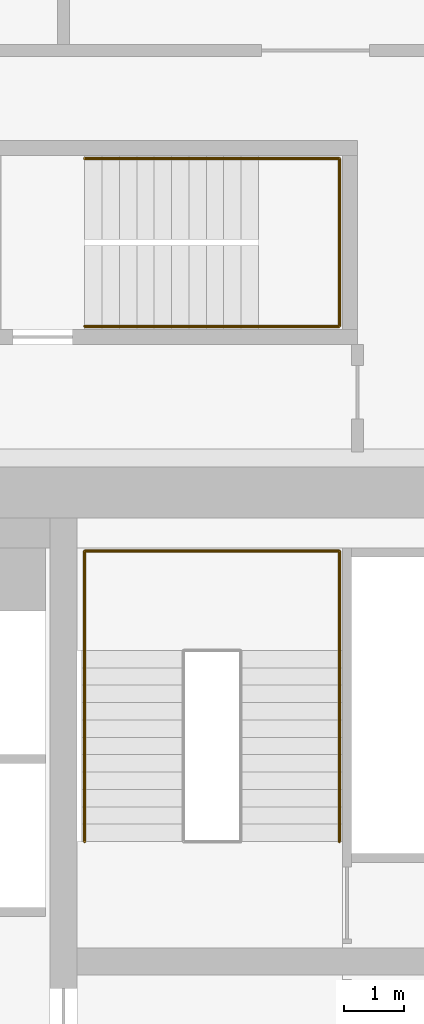
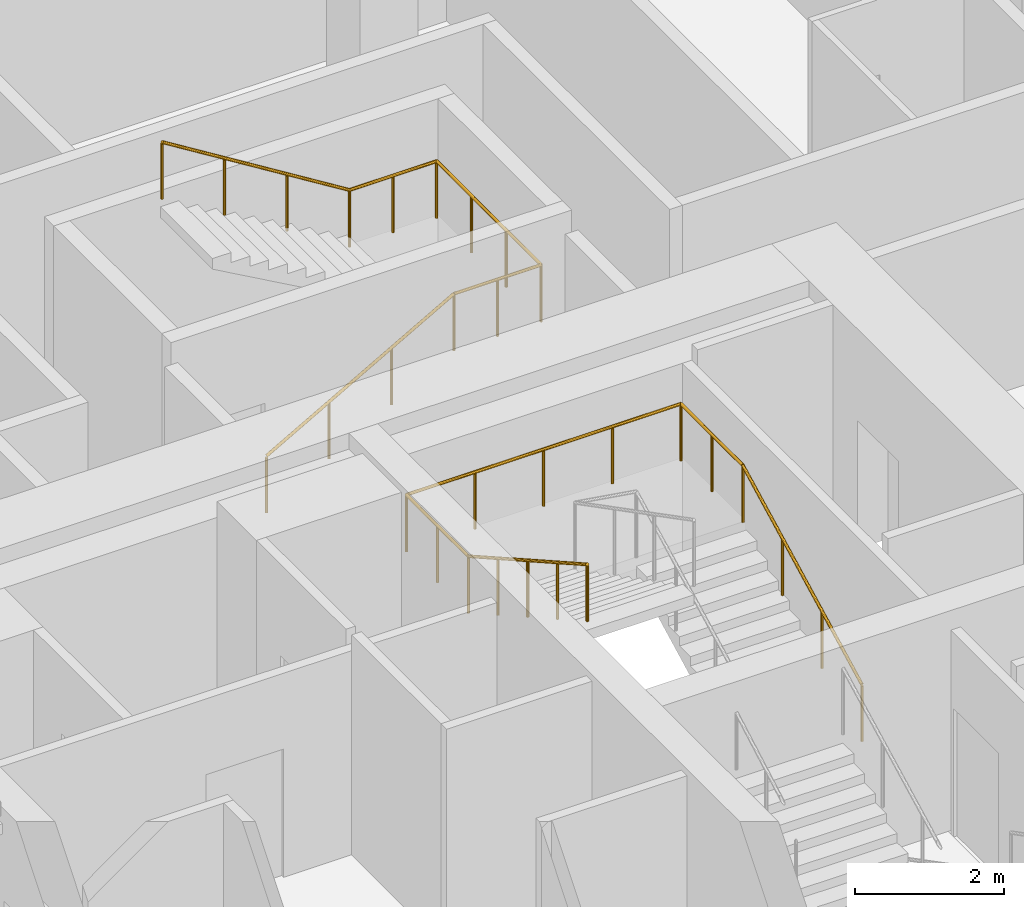
# One storey, part 33 of 33: 2 railings.
"""IFC4 building model written with IfcOpenShell, lengths in metres."""

from ifc_helpers import new_model, si_unit, direction, frame, origin, origin_2d, place, context, subcontext, project, spatial, circle, extrude, material, type_object, element, save


model = new_model("IFC4")

# Units and contexts
model_context = context("Model", 3, precision=1e-05, world=origin(), true_north=direction((0.0, 1.0)))
body_context = subcontext(model_context, "Body", "Model", "MODEL_VIEW")
ifc_project = project(units=[si_unit("LENGTHUNIT", "METRE"), si_unit("AREAUNIT", "SQUARE_METRE"), si_unit("VOLUMEUNIT", "CUBIC_METRE"), si_unit("PLANEANGLEUNIT", "RADIAN"), si_unit("MASSUNIT", "GRAM", prefix="KILO")], contexts=[model_context])

# Site, building, storey
site_placement = place(None, origin())
site = spatial("IfcSite", under=ifc_project, at=site_placement, CompositionType="ELEMENT")
building_placement = place(site_placement, origin())
building = spatial("IfcBuilding", under=site, at=building_placement, Name="Marenta Gate Hotel Tower", CompositionType="ELEMENT")
storey_placement = place(building_placement, frame((0.0, 0.0, 108.5)))
storey = spatial("IfcBuildingStorey", under=building, at=storey_placement, Name="L23", CompositionType="ELEMENT", Elevation=108.5)

# Railings
ifc_material = material(Name="Stainless steel", Category="steel")
railing_type = type_object("IfcRailingType", Name="Core stair handrail 950", PredefinedType="HANDRAIL", material=ifc_material)
railing_1_placement = place(storey_placement, frame((8.800048828125, 10.39990234375, 0.14990234375)))
element("IfcRailing", 1, at=railing_1_placement, inside=storey, type_object=railing_type, Name="HR-950 L23-KR-ST4-1", PredefinedType="HANDRAIL", context=body_context, shape_type="SweptSolid", body=[
    extrude(circle(Radius=0.02392578125, at=origin_2d()), frame((0.0, 0.0, 0.92578125), z_axis=(0.0, 0.888211904222, 0.459434013977), x_axis=(-1.0, 0.0, 0.0)), (0.0, 0.0, 1.0), 3.591796875),
    extrude(circle(Radius=0.02392578125, at=origin_2d()), frame((0.0, 3.190185546875, 2.576171875), z_axis=(0.0, 1.0, 0.0), x_axis=(-1.0, 0.0, 0.0)), (0.0, 0.0, 1.0), 1.659912109375),
    extrude(circle(Radius=0.02392578125, at=origin_2d()), frame((0.0, 4.85009765625, 2.576171875), z_axis=(-1.0, 0.0, 0.0), x_axis=(0.0, -1.0, 0.0)), (0.0, 0.0, 1.0), 4.25),
    extrude(circle(Radius=0.02392578125, at=origin_2d()), frame((-4.25, 4.85009765625, 2.576171875), z_axis=(0.0, -1.0, 0.0), x_axis=(1.0, 0.0, 0.0)), (0.0, 0.0, 1.0), 1.659912109375),
    extrude(circle(Radius=0.02392578125, at=origin_2d()), frame((-4.25, 3.190185546875, 2.576171875), z_axis=(0.0, -0.870925075533, 0.491415824742), x_axis=(1.0, 0.0, 0.0)), (0.0, 0.0, 1.0), 3.6630859375),
    extrude(circle(Radius=0.02099609375, at=origin_2d()), origin(), (0.0, 0.0, 1.0), 0.90185546875),
    extrude(circle(Radius=0.02099609375, at=origin_2d()), frame((0.0, 1.0634765625, 0.550048828125)), (0.0, 0.0, 1.0), 0.90185546875),
    extrude(circle(Radius=0.02099609375, at=origin_2d()), frame((0.0, 2.126708984375, 1.10009765625)), (0.0, 0.0, 1.0), 0.90185546875),
    extrude(circle(Radius=0.02099609375, at=origin_2d()), frame((0.0, 3.190185546875, 1.650146484375)), (0.0, 0.0, 1.0), 0.90185546875),
    extrude(circle(Radius=0.02099609375, at=origin_2d()), frame((0.0, 4.02001953125, 1.650146484375)), (0.0, 0.0, 1.0), 0.90185546875),
    extrude(circle(Radius=0.02099609375, at=origin_2d()), frame((0.0, 4.85009765625, 1.650146484375)), (0.0, 0.0, 1.0), 0.90185546875),
    extrude(circle(Radius=0.02099609375, at=origin_2d()), frame((-1.0625, 4.85009765625, 1.650146484375)), (0.0, 0.0, 1.0), 0.90185546875),
    extrude(circle(Radius=0.02099609375, at=origin_2d()), frame((-2.125, 4.85009765625, 1.650146484375)), (0.0, 0.0, 1.0), 0.90185546875),
    extrude(circle(Radius=0.02099609375, at=origin_2d()), frame((-3.1875, 4.85009765625, 1.650146484375)), (0.0, 0.0, 1.0), 0.90185546875),
    extrude(circle(Radius=0.02099609375, at=origin_2d()), frame((-4.25, 4.85009765625, 1.650146484375)), (0.0, 0.0, 1.0), 0.90185546875),
    extrude(circle(Radius=0.02099609375, at=origin_2d()), frame((-4.25, 4.02001953125, 1.650146484375)), (0.0, 0.0, 1.0), 0.90185546875),
    extrude(circle(Radius=0.02099609375, at=origin_2d()), frame((-4.25, 3.190185546875, 1.650146484375)), (0.0, 0.0, 1.0), 0.90185546875),
    extrude(circle(Radius=0.02099609375, at=origin_2d()), frame((-4.25, 2.392578125, 2.10009765625)), (0.0, 0.0, 1.0), 0.90185546875),
    extrude(circle(Radius=0.02099609375, at=origin_2d()), frame((-4.25, 1.59521484375, 2.55029296875)), (0.0, 0.0, 1.0), 0.90185546875),
    extrude(circle(Radius=0.02099609375, at=origin_2d()), frame((-4.25, 0.797607421875, 3.000244140625)), (0.0, 0.0, 1.0), 0.90185546875),
    extrude(circle(Radius=0.02099609375, at=origin_2d()), frame((-4.25, 0.0, 3.4501953125)), (0.0, 0.0, 1.0), 0.90185546875),
])
railing_2_placement = place(storey_placement, frame((4.550048828125, 19.0, 0.16357421875)))
element("IfcRailing", 2, at=railing_2_placement, inside=storey, type_object=railing_type, Name="HR-950 L23-RS-Z2-4-KR-1", PredefinedType="HANDRAIL", context=body_context, shape_type="SweptSolid", body=[
    extrude(circle(Radius=0.02392578125, at=origin_2d()), frame((0.0, 0.0, 0.92578125), z_axis=(0.870897200241, 0.0, 0.491465224214), x_axis=(0.0, 1.0, 0.0)), (0.0, 0.0, 1.0), 3.329833984375),
    extrude(circle(Radius=0.02392578125, at=origin_2d()), frame((2.89990234375, 0.0, 2.5625), z_axis=(1.0, 0.0, 0.0), x_axis=(0.0, 1.0, 0.0)), (0.0, 0.0, 1.0), 1.35009765625),
    extrude(circle(Radius=0.02392578125, at=origin_2d()), frame((4.25, 0.0, 2.5625), z_axis=(0.0, 1.0, 0.0), x_axis=(-1.0, 0.0, 0.0)), (0.0, 0.0, 1.0), 2.800048828125),
    extrude(circle(Radius=0.02392578125, at=origin_2d()), frame((4.25, 2.800048828125, 2.5625), z_axis=(-1.0, 0.0, 0.0), x_axis=(0.0, -1.0, 0.0)), (0.0, 0.0, 1.0), 1.35009765625),
    extrude(circle(Radius=0.02392578125, at=origin_2d()), frame((2.89990234375, 2.800048828125, 2.5625), z_axis=(-0.849625798611, 0.0, 0.527386008853), x_axis=(0.0, -1.0, 0.0)), (0.0, 0.0, 1.0), 3.4130859375),
    extrude(circle(Radius=0.02099609375, at=origin_2d()), origin(), (0.0, 0.0, 1.0), 0.90185546875),
    extrude(circle(Radius=0.02099609375, at=origin_2d()), frame((0.966552734375, 0.0, 0.54541015625)), (0.0, 0.0, 1.0), 0.90185546875),
    extrude(circle(Radius=0.02099609375, at=origin_2d()), frame((1.933349609375, 0.0, 1.091064453125)), (0.0, 0.0, 1.0), 0.90185546875),
    extrude(circle(Radius=0.02099609375, at=origin_2d()), frame((2.89990234375, 0.0, 1.636474609375)), (0.0, 0.0, 1.0), 0.90185546875),
    extrude(circle(Radius=0.02099609375, at=origin_2d()), frame((3.574951171875, 0.0, 1.636474609375)), (0.0, 0.0, 1.0), 0.90185546875),
    extrude(circle(Radius=0.02099609375, at=origin_2d()), frame((4.25, 0.0, 1.636474609375)), (0.0, 0.0, 1.0), 0.90185546875),
    extrude(circle(Radius=0.02099609375, at=origin_2d()), frame((4.25, 0.933349609375, 1.636474609375)), (0.0, 0.0, 1.0), 0.90185546875),
    extrude(circle(Radius=0.02099609375, at=origin_2d()), frame((4.25, 1.86669921875, 1.636474609375)), (0.0, 0.0, 1.0), 0.90185546875),
    extrude(circle(Radius=0.02099609375, at=origin_2d()), frame((4.25, 2.800048828125, 1.636474609375)), (0.0, 0.0, 1.0), 0.90185546875),
    extrude(circle(Radius=0.02099609375, at=origin_2d()), frame((3.574951171875, 2.800048828125, 1.636474609375)), (0.0, 0.0, 1.0), 0.90185546875),
    extrude(circle(Radius=0.02099609375, at=origin_2d()), frame((2.89990234375, 2.800048828125, 1.636474609375)), (0.0, 0.0, 1.0), 0.90185546875),
    extrude(circle(Radius=0.02099609375, at=origin_2d()), frame((1.933349609375, 2.800048828125, 2.236572265625)), (0.0, 0.0, 1.0), 0.90185546875),
    extrude(circle(Radius=0.02099609375, at=origin_2d()), frame((0.966552734375, 2.800048828125, 2.83642578125)), (0.0, 0.0, 1.0), 0.90185546875),
    extrude(circle(Radius=0.02099609375, at=origin_2d()), frame((0.0, 2.800048828125, 3.4365234375)), (0.0, 0.0, 1.0), 0.90185546875),
])

save(model, "model.ifc")
